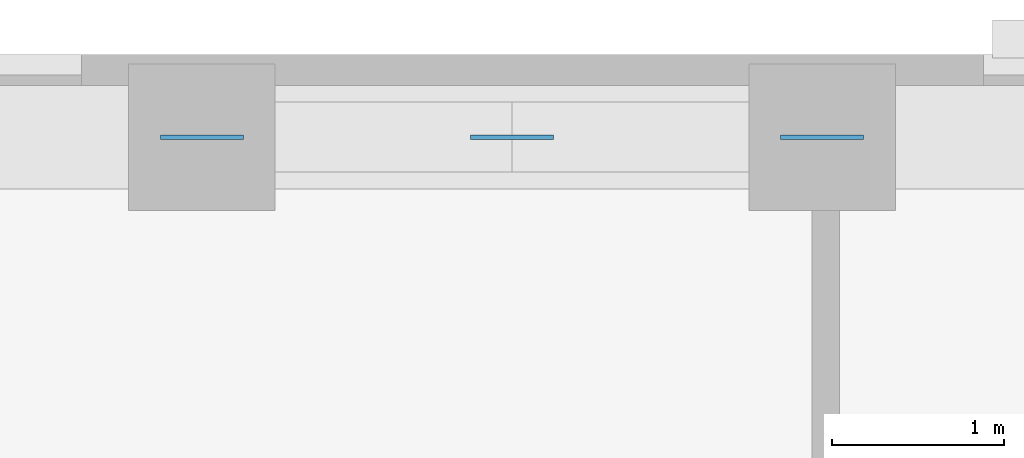
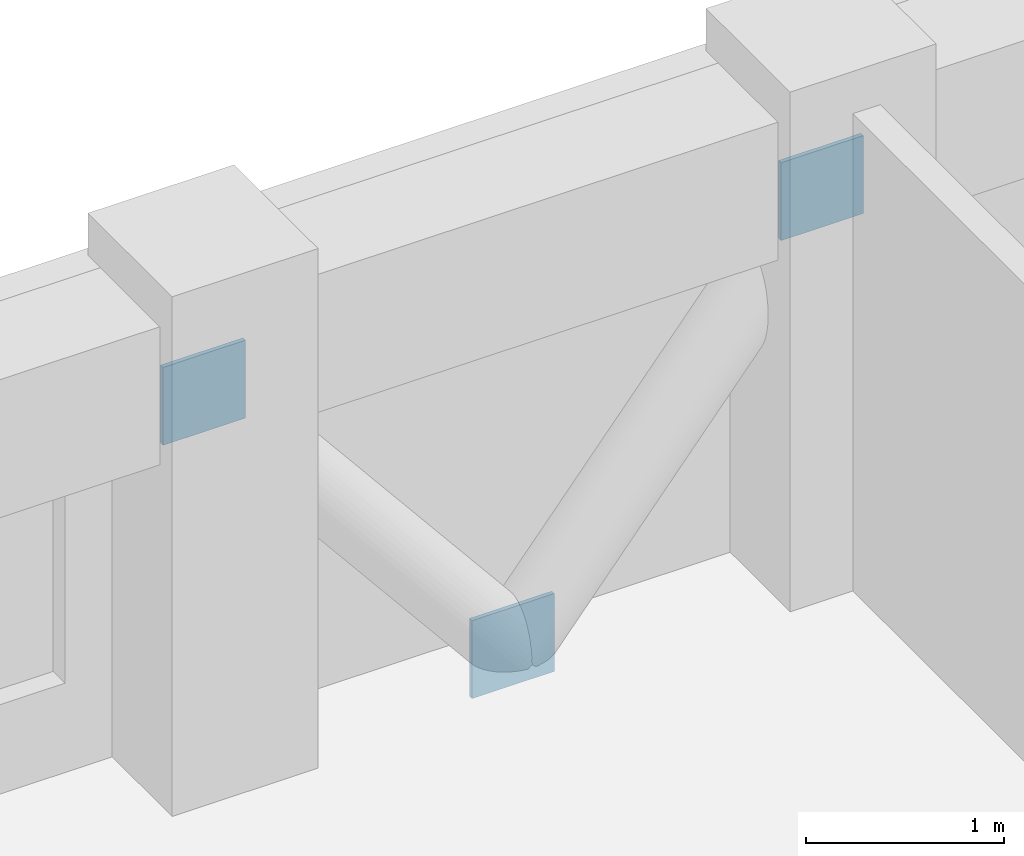
# One storey, part 10 of 12: 3 discrete accessories.
"""IFC4 building model written with IfcOpenShell, lengths in metres."""

from ifc_helpers import new_model, si_unit, derived_unit, direction, frame, origin, origin_2d, place, context, subcontext, project, spatial, rectangle, extrude, material, layer, layer_set, type_object, element, save


model = new_model("IFC4")

# Units and contexts
model_context = context("Model", 3, precision=1e-05, world=origin(), true_north=direction((0.0, 1.0)))
body_context = subcontext(model_context, "Body", "Model", "MODEL_VIEW")
ifc_project = project(units=[si_unit("LENGTHUNIT", "METRE"), si_unit("AREAUNIT", "SQUARE_METRE"), si_unit("VOLUMEUNIT", "CUBIC_METRE"), si_unit("PLANEANGLEUNIT", "RADIAN"), si_unit("MASSUNIT", "GRAM", prefix="KILO"), derived_unit("THERMALTRANSMITTANCEUNIT", [(si_unit("MASSUNIT", "GRAM", prefix="KILO"), 1), (si_unit("TIMEUNIT", "SECOND"), -3), (si_unit("THERMODYNAMICTEMPERATUREUNIT", "KELVIN"), -1)])], contexts=[model_context])

# Site, building, storey
site_placement = place(None, origin())
site = spatial("IfcSite", under=ifc_project, at=site_placement, CompositionType="ELEMENT")
building_placement = place(site_placement, origin())
building = spatial("IfcBuilding", under=site, at=building_placement, Name="Korrvale Station Residences", CompositionType="ELEMENT")
storey_placement = place(building_placement, frame((0.0, 0.0, 91.10009765625)))
storey = spatial("IfcBuildingStorey", under=building, at=storey_placement, Name="L25", CompositionType="ELEMENT", Elevation=91.10009765625)

# Discrete accessories
ifc_material = material(Name="Steel S355", Category="steel")
ifc_layer = layer(ifc_material, 0.02490234375, Name="Steel S355")
ifc_layer_set = layer_set([ifc_layer], Name="Steel S355")
discrete_accessory_type = type_object("IfcDiscreteAccessoryType", Name="ACC-GUSSET-25", PredefinedType="BRACKET", material=ifc_layer_set)
for number, where, z_axis, x_axis, name in (
    (1, (25.0, 42.820068359375, -0.219970703125), (0.0, 0.0, 1.0), (1.0, 0.0, 0.0), "L25 N Brace End Gusset Connection M"),
    (2, (23.199951171875, 42.820068359375, 1.969970703125), (0.0, 0.0, 1.0), (1.0, 0.0, 0.0), "L25 N Brace End Gusset Connection A"),
    (3, (26.800048828125, 42.820068359375, 1.969970703125), (0.0, 0.0, 1.0), (1.0, 0.0, 0.0), "L25 N Brace End Gusset Connection B"),
):
    element("IfcDiscreteAccessory", number, at=place(storey_placement, frame(where, z_axis=z_axis, x_axis=x_axis)), inside=storey, type_object=discrete_accessory_type, Name=name, PredefinedType="BRACKET", context=body_context, shape_type="SweptSolid", body=[
        extrude(rectangle(XDim=0.47998046875, YDim=0.02490234375, at=origin_2d()), origin(), (0.0, 0.0, 1.0), 0.47998046875),
    ])

save(model, "model.ifc")
